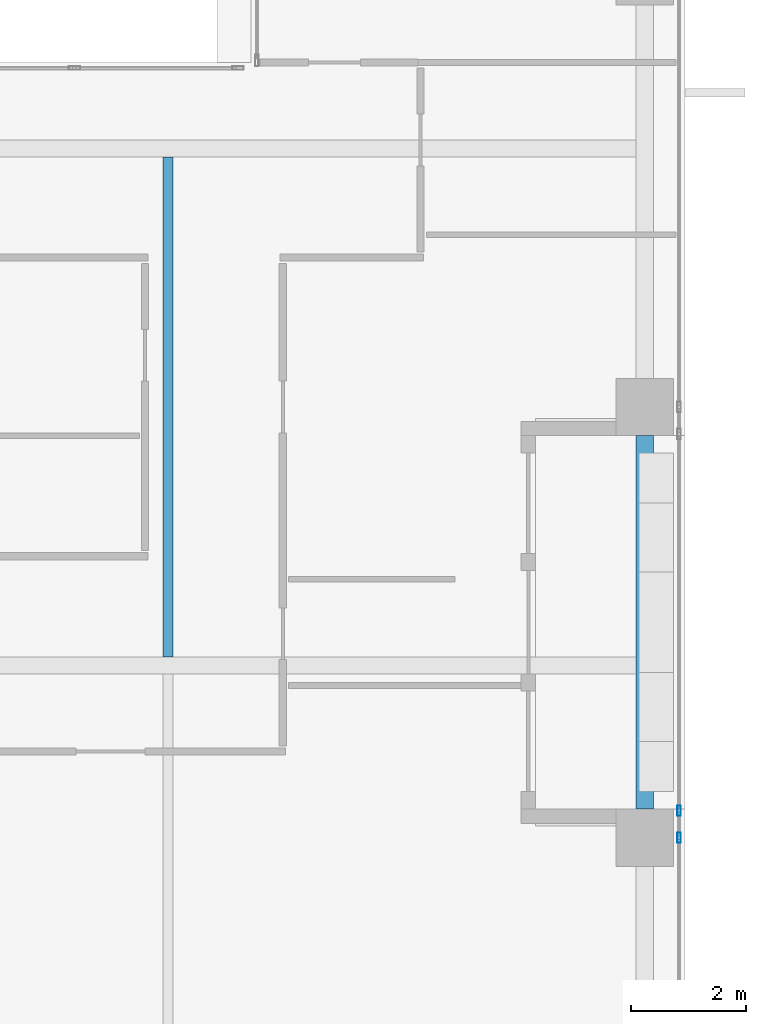
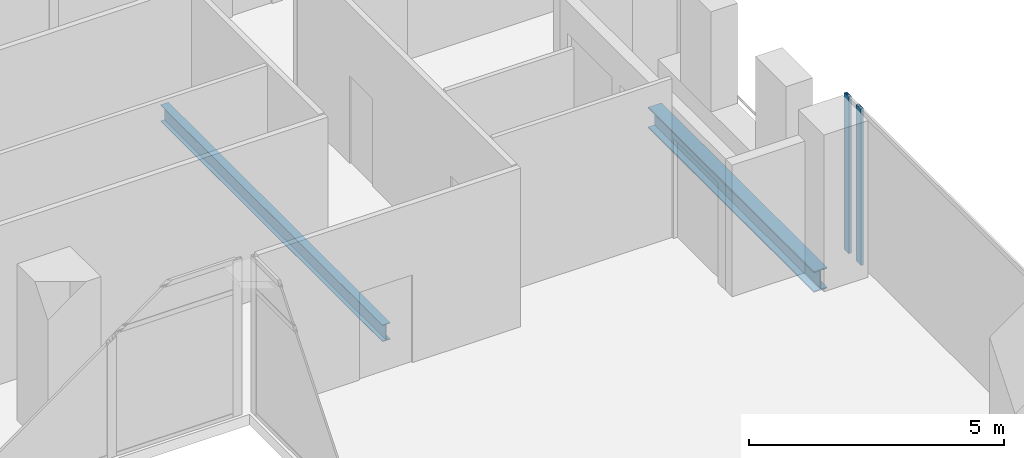
# One storey, part 15 of 37: 2 beams, 2 members, 1 element without a shape of its own.
"""IFC4 building model written with IfcOpenShell, lengths in metres."""

from ifc_helpers import new_model, si_unit, direction, frame, origin, origin_2d, place, context, subcontext, project, spatial, hollow_rectangle, i_section, extrude, source, transform, mapped, material, material_profile, profile_set, type_object, element, aggregate, save


model = new_model("IFC4")

# Units and contexts
model_context = context("Model", 3, precision=1e-05, world=origin(), true_north=direction((0.0, 1.0)))
body_context = subcontext(model_context, "Body", "Model", "MODEL_VIEW")
ifc_project = project(units=[si_unit("LENGTHUNIT", "METRE"), si_unit("AREAUNIT", "SQUARE_METRE"), si_unit("VOLUMEUNIT", "CUBIC_METRE"), si_unit("PLANEANGLEUNIT", "RADIAN"), si_unit("MASSUNIT", "GRAM", prefix="KILO")], contexts=[model_context])

# Site, building, storey
site_placement = place(None, origin())
site = spatial("IfcSite", under=ifc_project, at=site_placement, CompositionType="ELEMENT")
building_placement = place(site_placement, origin())
building = spatial("IfcBuilding", under=site, at=building_placement, Name="Khomas Fold Tower", CompositionType="ELEMENT")
storey_placement = place(building_placement, frame((0.0, 0.0, 168.699951171875)))
storey = spatial("IfcBuildingStorey", under=building, at=storey_placement, Name="L36", CompositionType="ELEMENT", Elevation=168.699951171875)

# Beams
ifc_material_1 = material(Name="Steel S355", Category="steel")
ifc_material_profile_1 = material_profile(ifc_material_1, i_section(OverallWidth=0.179931640625, OverallDepth=0.39990234375, WebThickness=0.008544921875, FlangeThickness=0.013427734375, at=origin_2d()), Name="IPE 400")
ifc_profile_set_1 = profile_set([ifc_material_profile_1], Name="Steel S355")
beam_type_1 = type_object("IfcBeamType", Name="IPE 400 beam JB3", PredefinedType="BEAM", material=ifc_profile_set_1)
shared_shape_1 = source(origin(), body_context, "Body", "SweptSolid", [
    extrude(i_section(OverallWidth=0.179931640625, OverallDepth=0.39990234375, WebThickness=0.008544921875, FlangeThickness=0.013427734375, at=origin_2d()), origin(), (0.0, 0.0, 1.0), 8.7001953125),
])
beam_1_placement = place(storey_placement, frame((42.0, 22.64990234375, -0.449951171875), z_axis=(0.0, 1.0, 0.0), x_axis=(-1.0, 0.0, 0.0)))
element("IfcBeam", 1, at=beam_1_placement, inside=storey, type_object=beam_type_1, Name="JB3", PredefinedType="BEAM", context=body_context, shape_type="MappedRepresentation", body=[
    mapped(shared_shape_1, transform((0.0, 0.0, 0.0))),
])
ifc_material_2 = material(Name="Steel S355", Category="steel")
ifc_material_profile_2 = material_profile(ifc_material_2, i_section(OverallWidth=0.300048828125, OverallDepth=0.5, WebThickness=0.014404296875, FlangeThickness=0.028076171875, at=origin_2d()), Name="HE 500 B")
ifc_profile_set_2 = profile_set([ifc_material_profile_2], Name="Steel S355")
beam_type_2 = type_object("IfcBeamType", Name="HE 500 B spandrel SB3", PredefinedType="SPANDREL", material=ifc_profile_set_2)
shared_shape_2 = source(origin(), body_context, "Body", "SweptSolid", [
    extrude(i_section(OverallWidth=0.300048828125, OverallDepth=0.5, WebThickness=0.014404296875, FlangeThickness=0.028076171875, at=origin_2d()), origin(), (0.0, 0.0, 1.0), 6.5),
])
beam_2_placement = place(storey_placement, frame((50.300048828125, 20.0, -0.5), z_axis=(0.0, 1.0, 0.0), x_axis=(-1.0, 0.0, 0.0)))
element("IfcBeam", 2, at=beam_2_placement, inside=storey, type_object=beam_type_2, Name="SB3", PredefinedType="SPANDREL", context=body_context, shape_type="MappedRepresentation", body=[
    mapped(shared_shape_2, transform((0.0, 0.0, 0.0))),
])

# Curtain wall, members
ifc_material_3 = material(Name="Aluminium framed double glazing", Category="aluminium")
curtain_wall_type = type_object("IfcCurtainWallType", Name="SK-Unitised clear-glass wall, office floors CW2", PredefinedType="NOTDEFINED", material=ifc_material_3)
curtain_wall_placement = place(storey_placement, origin())
curtain_wall = element("IfcCurtainWall", 3, at=curtain_wall_placement, inside=storey, type_object=curtain_wall_type, Name="CW2 run L36 08-0", PredefinedType="NOTDEFINED")
ifc_material_4 = material(Name="Aluminium", Category="aluminium")
ifc_material_profile_3 = material_profile(ifc_material_4, hollow_rectangle(XDim=0.06005859375, YDim=0.179931640625, WallThickness=0.00390625, at=origin_2d()), Name="SK-Unitised clear-glass wall, office floors mullion CW2-M")
ifc_profile_set_3 = profile_set([ifc_material_profile_3], Name="Aluminium")
member_type = type_object("IfcMemberType", Name="SK-Unitised clear-glass wall, office floors mullion CW2-M", PredefinedType="MULLION", material=ifc_profile_set_3)
shared_shape_3 = source(origin(), body_context, "Body", "SweptSolid", [
    extrude(hollow_rectangle(XDim=0.06005859375, YDim=0.179931640625, WallThickness=0.00390625, at=origin_2d()), origin(), (0.0, 0.0, 1.0), 3.75),
])
member_1_placement = place(storey_placement, frame((50.89990234375, 19.5, 0.0), z_axis=(0.0, 0.0, 1.0), x_axis=(-1.0, 0.0, 0.0)))
member_1 = element("IfcMember", 4, at=member_1_placement, type_object=member_type, Name="CW2 mullion 4", PredefinedType="MULLION", context=body_context, shape_type="MappedRepresentation", body=[
    mapped(shared_shape_3, transform((0.0, 0.0, 0.0))),
])
member_2_placement = place(storey_placement, frame((50.89990234375, 19.969970703125, 0.0), z_axis=(0.0, 0.0, 1.0), x_axis=(-1.0, 0.0, 0.0)))
member_2 = element("IfcMember", 5, at=member_2_placement, type_object=member_type, Name="CW2 mullion 5", PredefinedType="MULLION", context=body_context, shape_type="MappedRepresentation", body=[
    mapped(shared_shape_3, transform((0.0, 0.0, 0.0))),
])
aggregate(curtain_wall, [member_1, member_2])

save(model, "model.ifc")
